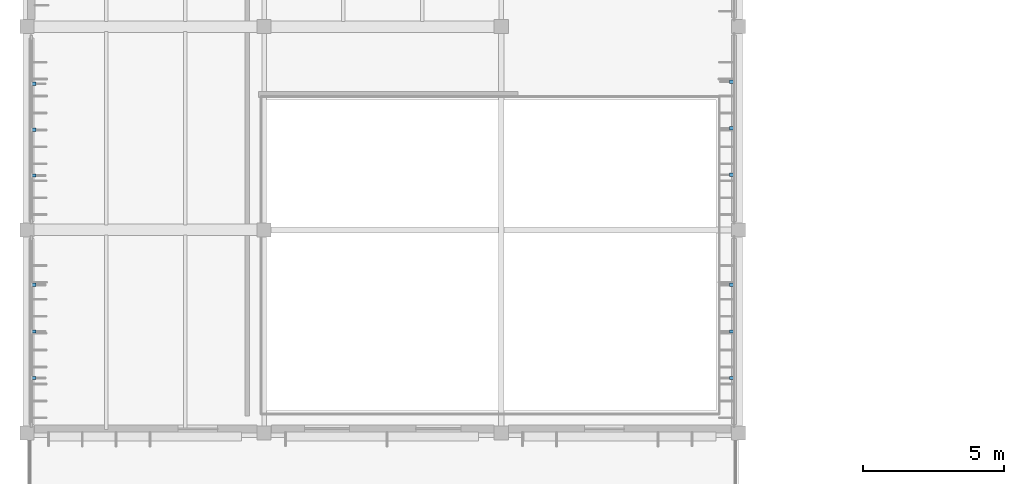
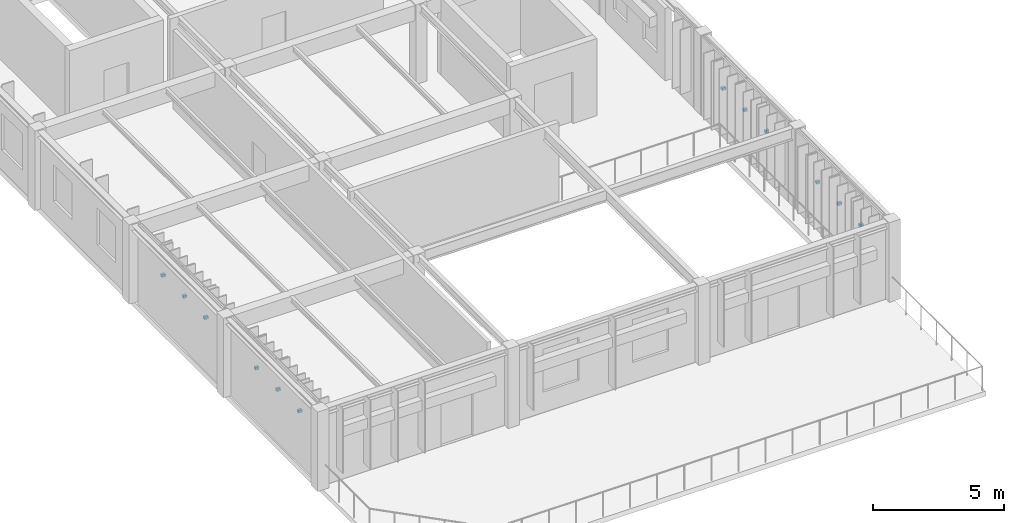
# One storey, part 25 of 44: 12 discrete accessories.
"""IFC4 building model written with IfcOpenShell, lengths in metres."""

from ifc_helpers import new_model, si_unit, direction, frame, origin, origin_2d, place, context, subcontext, project, spatial, rectangle, extrude, material, type_object, element, save


model = new_model("IFC4")

# Units and contexts
model_context = context("Model", 3, precision=1e-05, world=origin(), true_north=direction((0.0, 1.0)))
body_context = subcontext(model_context, "Body", "Model", "MODEL_VIEW")
ifc_project = project(units=[si_unit("LENGTHUNIT", "METRE"), si_unit("AREAUNIT", "SQUARE_METRE"), si_unit("VOLUMEUNIT", "CUBIC_METRE"), si_unit("PLANEANGLEUNIT", "RADIAN"), si_unit("MASSUNIT", "GRAM", prefix="KILO")], contexts=[model_context])

# Site, building, storey
site_placement = place(None, origin())
site = spatial("IfcSite", under=ifc_project, at=site_placement, CompositionType="ELEMENT")
building_placement = place(site_placement, origin())
building = spatial("IfcBuilding", under=site, at=building_placement, Name="Tazoul Stagehouse", CompositionType="ELEMENT")
storey_placement = place(building_placement, frame((0.0, 0.0, 13.199951171875)))
storey = spatial("IfcBuildingStorey", under=building, at=storey_placement, Name="L03", CompositionType="ELEMENT", Elevation=13.199951171875)

# Discrete accessories
ifc_material = material(Name="Austenitic Stainless Steel EN 1.4401", Category="steel")
discrete_accessory_type = type_object("IfcDiscreteAccessoryType", Name="Stainless Steel Louvre Support Cleat Bracket", PredefinedType="BRACKET", material=ifc_material)
for number, where, z_axis, x_axis, name in (
    (1, (2.6298828125, 53.75, 2.21923828125), (0.0, 0.0, 1.0), (0.0, 1.0, 0.0), "Cleat Bracket BRK-01 CW-V6-W1-L03-B1-BRK01"),
    (2, (2.6298828125, 55.39990234375, 2.21923828125), (0.0, 0.0, 1.0), (0.0, 1.0, 0.0), "Cleat Bracket BRK-01 CW-V6-W1-L03-B1-BRK02"),
    (3, (2.6298828125, 57.050048828125, 2.21923828125), (0.0, 0.0, 1.0), (0.0, 1.0, 0.0), "Cleat Bracket BRK-01 CW-V6-W1-L03-B1-BRK03"),
    (4, (2.6298828125, 60.925048828125, 2.21923828125), (0.0, 0.0, 1.0), (0.0, 1.0, 0.0), "Cleat Bracket BRK-01 CW-V6-W1-L03-B2-BRK01"),
    (5, (2.6298828125, 62.550048828125, 2.21923828125), (0.0, 0.0, 1.0), (0.0, 1.0, 0.0), "Cleat Bracket BRK-01 CW-V6-W1-L03-B2-BRK02"),
    (6, (2.6298828125, 64.175048828125, 2.21923828125), (0.0, 0.0, 1.0), (0.0, 1.0, 0.0), "Cleat Bracket BRK-01 CW-V6-W1-L03-B2-BRK03"),
    (7, (27.3701171875, 53.75, 2.21923828125), (0.0, 0.0, 1.0), (0.0, 1.0, 0.0), "Cleat Bracket BRK-01 CW-V6-E1-L03-B1-BRK01"),
    (8, (27.3701171875, 55.39990234375, 2.21923828125), (0.0, 0.0, 1.0), (0.0, 1.0, 0.0), "Cleat Bracket BRK-01 CW-V6-E1-L03-B1-BRK02"),
    (9, (27.3701171875, 57.050048828125, 2.21923828125), (0.0, 0.0, 1.0), (0.0, 1.0, 0.0), "Cleat Bracket BRK-01 CW-V6-E1-L03-B1-BRK03"),
    (10, (27.3701171875, 60.949951171875, 2.21923828125), (0.0, 0.0, 1.0), (0.0, 1.0, 0.0), "Cleat Bracket BRK-01 CW-V6-E1-L03-B2-BRK01"),
    (11, (27.3701171875, 62.60009765625, 2.21923828125), (0.0, 0.0, 1.0), (0.0, 1.0, 0.0), "Cleat Bracket BRK-01 CW-V6-E1-L03-B2-BRK02"),
    (12, (27.3701171875, 64.25, 2.21923828125), (0.0, 0.0, 1.0), (0.0, 1.0, 0.0), "Cleat Bracket BRK-01 CW-V6-E1-L03-B2-BRK03"),
):
    element("IfcDiscreteAccessory", number, at=place(storey_placement, frame(where, z_axis=z_axis, x_axis=x_axis)), inside=storey, type_object=discrete_accessory_type, Name=name, PredefinedType="BRACKET", context=body_context, shape_type="SweptSolid", body=[
        extrude(rectangle(XDim=0.1201171875, YDim=0.159912109375, at=origin_2d()), origin(), (0.0, 0.0, 1.0), 0.1201171875),
    ])

save(model, "model.ifc")
